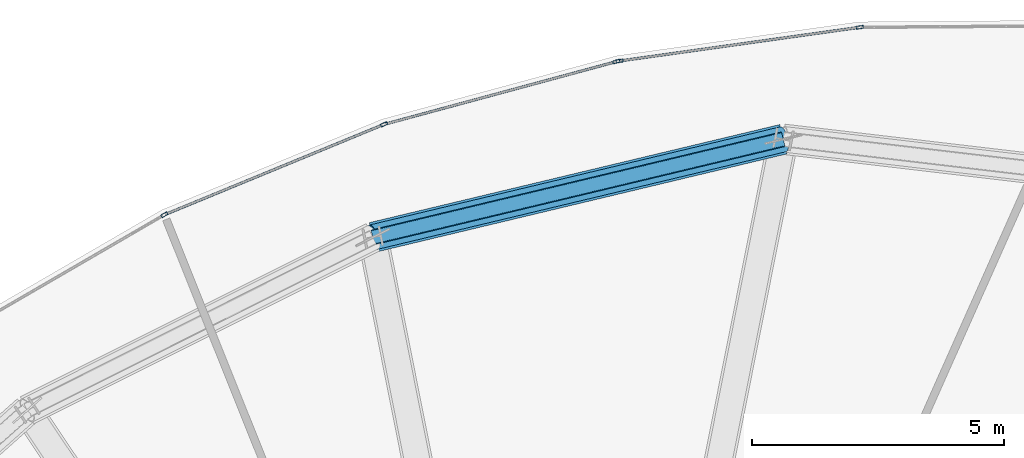
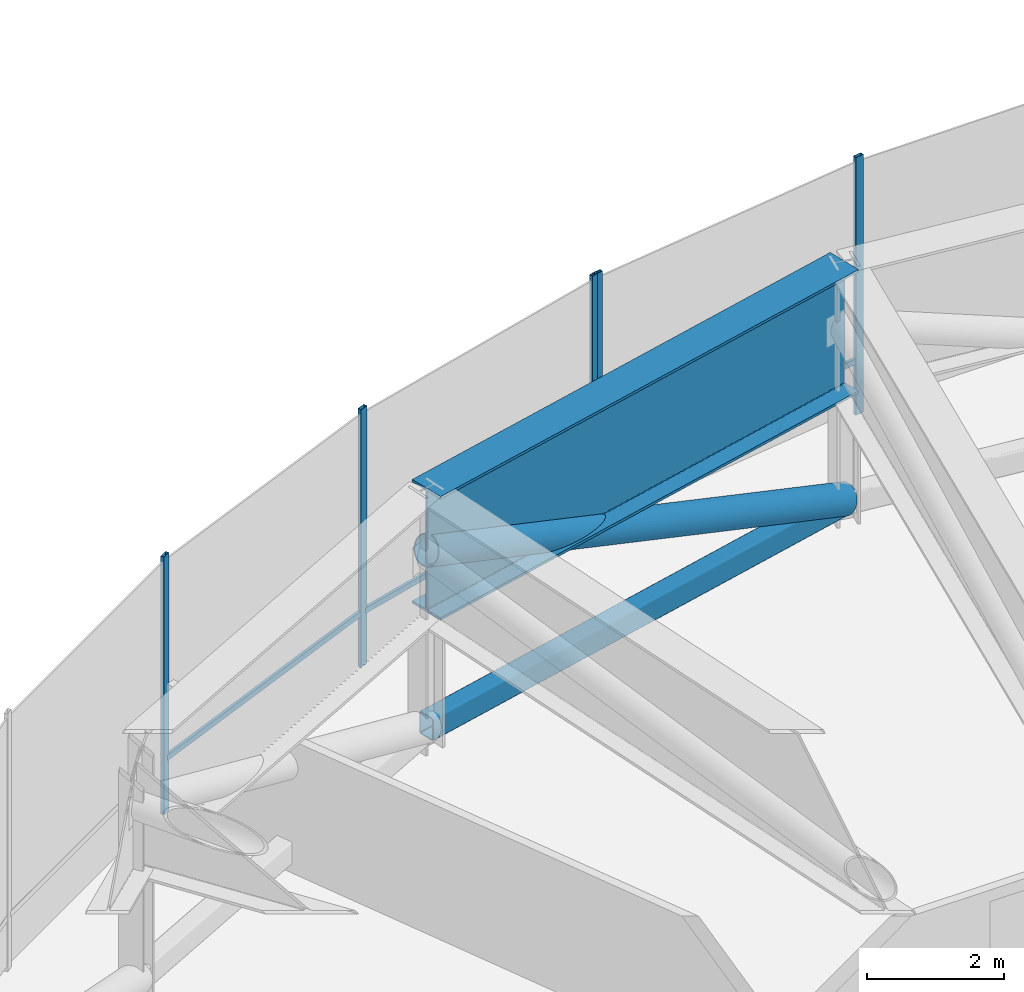
# One storey, part 20 of 30: 10 members, 1 beam, 2 elements without a shape of their own.
"""IFC4 building model written with IfcOpenShell, lengths in metres."""

from ifc_helpers import new_model, si_unit, direction, frame, origin, origin_2d, place, context, subcontext, project, spatial, hollow_rectangle, hollow_circle, i_section, extrude, source, transform, mapped, material, layer, layer_set, material_profile, profile_set, type_object, element, aggregate, save


model = new_model("IFC4")

# Units and contexts
model_context = context("Model", 3, precision=1e-05, world=origin(), true_north=direction((0.0, 1.0)))
body_context = subcontext(model_context, "Body", "Model", "MODEL_VIEW")
ifc_project = project(units=[si_unit("LENGTHUNIT", "METRE"), si_unit("AREAUNIT", "SQUARE_METRE"), si_unit("VOLUMEUNIT", "CUBIC_METRE"), si_unit("PLANEANGLEUNIT", "RADIAN"), si_unit("MASSUNIT", "GRAM", prefix="KILO"), si_unit("THERMODYNAMICTEMPERATUREUNIT", "KELVIN")], contexts=[model_context])

# Site, building, storey
site_placement = place(None, origin())
site = spatial("IfcSite", under=ifc_project, at=site_placement, CompositionType="ELEMENT")
building_placement = place(site_placement, origin())
building = spatial("IfcBuilding", under=site, at=building_placement, Name="Kethvar Cultural Tower", CompositionType="ELEMENT")
storey_placement = place(building_placement, frame((0.0, 0.0, 171.39990234375)))
storey = spatial("IfcBuildingStorey", under=building, at=storey_placement, Name="L44", CompositionType="ELEMENT", Elevation=171.39990234375)

# Beam
ifc_material_1 = material(Name="Steel S460M", Category="steel")
ifc_material_profile_1 = material_profile(ifc_material_1, i_section(OverallWidth=0.60009765625, OverallDepth=2.199951171875, WebThickness=0.028076171875, FlangeThickness=0.044921875, FilletRadius=0.02197265625, at=origin_2d()), Name="Steel S460M — PG2200x600x45x28")
ifc_profile_set_1 = profile_set([ifc_material_profile_1], Name="Steel S460M — PG2200x600x45x28")
beam_type = type_object("IfcBeamType", Name="BM-TR2200", PredefinedType="BEAM", material=ifc_profile_set_1)
shared_shape_1 = source(origin(), body_context, "Body", "SweptSolid", [
    extrude(i_section(OverallWidth=0.60009765625, OverallDepth=2.199951171875, WebThickness=0.028076171875, FlangeThickness=0.044921875, FilletRadius=0.02197265625, at=origin_2d()), origin(), (0.0, 0.0, 1.0), 8.379150390625),
])
beam_placement = place(storey_placement, frame((51.068603515625, 49.25927734375, 3.47802734375), z_axis=(-0.972601380857, -0.232479147355, 0.0), x_axis=(0.232479147355, -0.972601380857, 0.0)))
element("IfcBeam", 1, at=beam_placement, inside=storey, type_object=beam_type, Name="L44 Ring Belt Girder BG-04", PredefinedType="BEAM", context=body_context, shape_type="MappedRepresentation", body=[
    mapped(shared_shape_1, transform((0.0, 0.0, 0.0), scale=1.0)),
])

# Members
ifc_material_profile_2 = material_profile(ifc_material_1, hollow_rectangle(XDim=0.300048828125, YDim=0.39990234375, WallThickness=0.01611328125, InnerFilletRadius=0.01611328125, OuterFilletRadius=0.031982421875, at=origin_2d()), Name="Steel S460M — RHS400x300x16")
ifc_profile_set_2 = profile_set([ifc_material_profile_2], Name="Steel S460M — RHS400x300x16")
member_type_1 = type_object("IfcMemberType", Name="MB-CHD-400", PredefinedType="CHORD", material=ifc_profile_set_2)
shared_shape_2 = source(origin(), body_context, "Body", "SweptSolid", [
    extrude(hollow_rectangle(XDim=0.300048828125, YDim=0.39990234375, WallThickness=0.01611328125, InnerFilletRadius=0.01611328125, OuterFilletRadius=0.031982421875, at=origin_2d()), origin(), (0.0, 0.0, 1.0), 8.379150390625),
])
member_1_placement = place(storey_placement, frame((51.068603515625, 49.25927734375, 0.35009765625), z_axis=(-0.972601380857, -0.232479147355, 0.0), x_axis=(0.232479147355, -0.972601380857, 0.0)))
element("IfcMember", 2, at=member_1_placement, inside=storey, type_object=member_type_1, Name="L44 Ring Belt Bottom Chord BC-04", PredefinedType="CHORD", context=body_context, shape_type="MappedRepresentation", body=[
    mapped(shared_shape_2, transform((0.0, 0.0, 0.0), scale=1.0)),
])
ifc_material_profile_3 = material_profile(ifc_material_1, hollow_circle(Radius=0.25390625, WallThickness=0.02001953125, at=origin_2d()), Name="Steel S460M — CHS508x20")
ifc_profile_set_3 = profile_set([ifc_material_profile_3], Name="Steel S460M — CHS508x20")
member_type_2 = type_object("IfcMemberType", Name="MB-OUT-508", PredefinedType="BRACE", material=ifc_profile_set_3)
shared_shape_3 = source(origin(), body_context, "Body", "SweptSolid", [
    extrude(hollow_circle(Radius=0.25390625, WallThickness=0.02001953125, at=origin_2d()), origin(), (0.0, 0.0, 1.0), 8.944091796875),
])
member_2_placement = place(storey_placement, frame((51.068603515625, 49.25927734375, 0.35009765625), z_axis=(-0.911184719266, -0.217798833918, 0.349722855015), x_axis=(0.232479147355, -0.972601380857, 0.0)))
element("IfcMember", 3, at=member_2_placement, inside=storey, type_object=member_type_2, Name="L44 Ring Belt Diagonal BD-04", PredefinedType="BRACE", context=body_context, shape_type="MappedRepresentation", body=[
    mapped(shared_shape_3, transform((0.0, 0.0, 0.0), scale=1.0)),
])

# Curtain wall, members
ifc_material_2 = material(Name="Aluminium 6063-T6", Category="aluminium")
ifc_layer = layer(ifc_material_2, 0.179931640625, Name="Aluminium 6063-T6", Category="aluminium")
ifc_layer_set = layer_set([ifc_layer], Name="Aluminium 6063-T6 (180 mm)")
curtain_wall_type = type_object("IfcCurtainWallType", Name="CW-SYS-04-Z34", PredefinedType="NOTDEFINED", material=ifc_layer_set)
curtain_wall_1_placement = place(storey_placement, origin())
curtain_wall_1 = element("IfcCurtainWall", 4, at=curtain_wall_1_placement, inside=storey, type_object=curtain_wall_type, Name="L44 Curtain Wall Run 01", PredefinedType="NOTDEFINED")
ifc_material_profile_4 = material_profile(ifc_material_2, hollow_rectangle(XDim=0.06005859375, YDim=0.139892578125, WallThickness=0.0048828125, at=origin_2d()), Name="Aluminium 6063-T6 — RHS140x60x5")
ifc_profile_set_4 = profile_set([ifc_material_profile_4], Name="Aluminium 6063-T6 — RHS140x60x5")
member_type_3 = type_object("IfcMemberType", Name="CW-SYS-04-Z34-MUL", PredefinedType="MULLION", material=ifc_profile_set_4)
shared_shape_4 = source(origin(), body_context, "Body", "SweptSolid", [
    extrude(hollow_rectangle(XDim=0.06005859375, YDim=0.139892578125, WallThickness=0.0048828125, at=origin_2d()), origin(), (0.0, 0.0, 1.0), 4.580078125),
])
member_3_placement = place(storey_placement, frame((52.586181640625, 51.4814453125, 0.0), z_axis=(0.0, 0.0, 1.0), x_axis=(0.138775570677, -0.990323856616, 0.0)))
member_3 = element("IfcMember", 5, at=member_3_placement, type_object=member_type_3, Name="CW-L44-R01 Mullion 6", PredefinedType="MULLION", context=body_context, shape_type="MappedRepresentation", body=[
    mapped(shared_shape_4, transform((0.0, 0.0, 0.0), scale=1.0)),
])
member_4_placement = place(storey_placement, frame((47.81787109375, 50.813232421875, 0.0), z_axis=(0.0, 0.0, 1.0), x_axis=(0.138775570677, -0.990323856616, 0.0)))
member_4 = element("IfcMember", 6, at=member_4_placement, type_object=member_type_3, Name="CW-L44-R01 Mullion 7", PredefinedType="MULLION", context=body_context, shape_type="MappedRepresentation", body=[
    mapped(shared_shape_4, transform((0.0, 0.0, 0.0), scale=1.0)),
])

curtain_wall_2_placement = place(storey_placement, origin())
curtain_wall_2 = element("IfcCurtainWall", 7, at=curtain_wall_2_placement, inside=storey, type_object=curtain_wall_type, Name="L44 Curtain Wall Run 02", PredefinedType="NOTDEFINED")
member_5_placement = place(storey_placement, frame((47.7548828125, 50.80029296875, 0.0), z_axis=(0.0, 0.0, 1.0), x_axis=(0.260774109302, -0.965399846653, 0.0)))
member_5 = element("IfcMember", 8, at=member_5_placement, type_object=member_type_3, Name="CW-L44-R02 Mullion 1", PredefinedType="MULLION", context=body_context, shape_type="MappedRepresentation", body=[
    mapped(shared_shape_4, transform((0.0, 0.0, 0.0), scale=1.0)),
])
member_6_placement = place(storey_placement, frame((43.14013671875, 49.5546875, 0.0), z_axis=(0.0, 0.0, 1.0), x_axis=(0.380941281657, -0.924599232062, 0.0)))
member_6 = element("IfcMember", 9, at=member_6_placement, type_object=member_type_3, Name="CW-L44-R02 Mullion 2", PredefinedType="MULLION", context=body_context, shape_type="MappedRepresentation", body=[
    mapped(shared_shape_4, transform((0.0, 0.0, 0.0), scale=1.0)),
])
member_7_placement = place(storey_placement, frame((38.78076171875, 47.759765625, 0.0), z_axis=(0.0, 0.0, 1.0), x_axis=(0.502129698078, -0.864792325537, 0.0)))
member_7 = element("IfcMember", 10, at=member_7_placement, type_object=member_type_3, Name="CW-L44-R02 Mullion 3", PredefinedType="MULLION", context=body_context, shape_type="MappedRepresentation", body=[
    mapped(shared_shape_4, transform((0.0, 0.0, 0.0), scale=1.0)),
])

# Member
ifc_material_profile_5 = material_profile(ifc_material_2, hollow_rectangle(XDim=0.050048828125, YDim=0.10009765625, WallThickness=0.00390625, at=origin_2d()), Name="Aluminium 6063-T6 — RHS100x50x4")
ifc_profile_set_5 = profile_set([ifc_material_profile_5], Name="Aluminium 6063-T6 — RHS100x50x4")
member_type_4 = type_object("IfcMemberType", Name="CW-SYS-04-Z34-TRN", PredefinedType="USERDEFINED", material=ifc_profile_set_5)
shared_shape_5 = source(origin(), body_context, "Body", "SweptSolid", [
    extrude(hollow_rectangle(XDim=0.050048828125, YDim=0.10009765625, WallThickness=0.00390625, at=origin_2d()), origin(), (0.0, 0.0, 1.0), 4.767578125),
])
member_8_placement = place(storey_placement, frame((52.54345703125, 51.475341796875, 0.9501953125), z_axis=(-0.990323878717, -0.138775412965, 0.0), x_axis=(0.138775412965, -0.990323878717, 0.0)))
member_8 = element("IfcMember", 11, at=member_8_placement, type_object=member_type_4, Name="CW-L44-R01 Transom 6", ObjectType="TRANSOM", PredefinedType="USERDEFINED", context=body_context, shape_type="MappedRepresentation", body=[
    mapped(shared_shape_5, transform((0.0, 0.0, 0.0), scale=1.0)),
])

aggregate(curtain_wall_1, [member_3, member_4, member_8])

shared_shape_6 = source(origin(), body_context, "Body", "SweptSolid", [
    extrude(hollow_rectangle(XDim=0.050048828125, YDim=0.10009765625, WallThickness=0.00390625, at=origin_2d()), origin(), (0.0, 0.0, 1.0), 4.74658203125),
])
member_9_placement = place(storey_placement, frame((47.7509765625, 50.79931640625, 0.9501953125), z_axis=(-0.96539839849, -0.260779470422, 0.0), x_axis=(0.260779470422, -0.96539839849, 0.0)))
member_9 = element("IfcMember", 12, at=member_9_placement, type_object=member_type_4, Name="CW-L44-R02 Transom 1", ObjectType="TRANSOM", PredefinedType="USERDEFINED", context=body_context, shape_type="MappedRepresentation", body=[
    mapped(shared_shape_6, transform((0.0, 0.0, 0.0), scale=1.0)),
])

shared_shape_7 = source(origin(), body_context, "Body", "SweptSolid", [
    extrude(hollow_rectangle(XDim=0.050048828125, YDim=0.10009765625, WallThickness=0.00390625, at=origin_2d()), origin(), (0.0, 0.0, 1.0), 4.642822265625),
])
member_10_placement = place(storey_placement, frame((43.10009765625, 49.5380859375, 0.9501953125), z_axis=(-0.924605115677, -0.380927000965, 0.0), x_axis=(0.380927000965, -0.924605115677, 0.0)))
member_10 = element("IfcMember", 13, at=member_10_placement, type_object=member_type_4, Name="CW-L44-R02 Transom 2", ObjectType="TRANSOM", PredefinedType="USERDEFINED", context=body_context, shape_type="MappedRepresentation", body=[
    mapped(shared_shape_7, transform((0.0, 0.0, 0.0), scale=1.0)),
])

aggregate(curtain_wall_2, [member_5, member_6, member_7, member_9, member_10])

save(model, "model.ifc")
